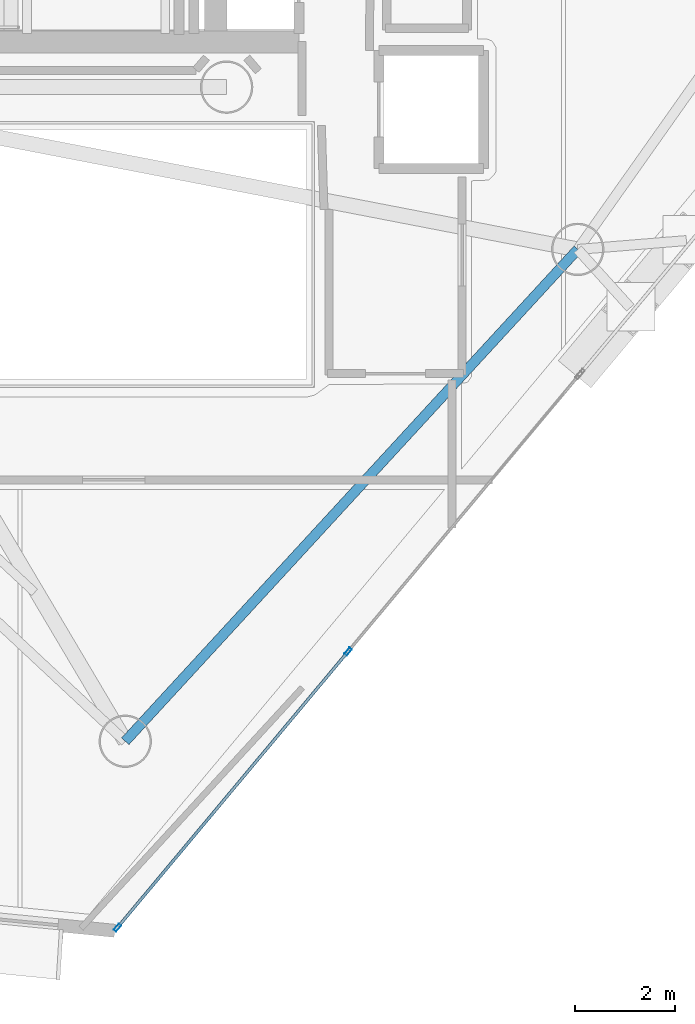
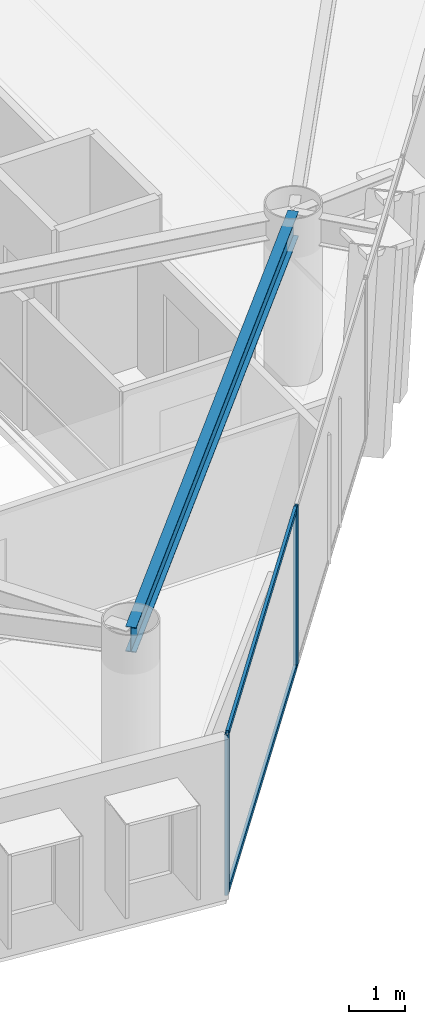
# One storey, part 4 of 20: 4 members, 1 beam, 1 element without a shape of its own.
"""IFC4 building model written with IfcOpenShell, lengths in metres."""

from ifc_helpers import new_model, si_unit, direction, frame, origin, origin_2d, place, context, subcontext, project, spatial, hollow_rectangle, i_section, extrude, material, layer, layer_set, material_profile, profile_set, type_object, element, aggregate, save


model = new_model("IFC4")

# Units and contexts
model_context = context("Model", 3, precision=1e-05, world=origin(), true_north=direction((0.0, 1.0)))
body_context = subcontext(model_context, "Body", "Model", "MODEL_VIEW")
ifc_project = project(units=[si_unit("LENGTHUNIT", "METRE"), si_unit("AREAUNIT", "SQUARE_METRE"), si_unit("VOLUMEUNIT", "CUBIC_METRE"), si_unit("PLANEANGLEUNIT", "RADIAN"), si_unit("MASSUNIT", "GRAM", prefix="KILO")], contexts=[model_context])

# Site, building, storey
site_placement = place(None, origin())
site = spatial("IfcSite", under=ifc_project, at=site_placement, CompositionType="ELEMENT")
building_placement = place(site_placement, origin())
building = spatial("IfcBuilding", under=site, at=building_placement, Name="Qianvela Tower", CompositionType="ELEMENT")
storey_placement = place(building_placement, frame((0.0, 0.0, 257.5)))
storey = spatial("IfcBuildingStorey", under=building, at=storey_placement, Name="L66", CompositionType="ELEMENT", Elevation=257.5)

# Beam
ifc_material_1 = material(Name="Steel Q355B", Category="steel")
ifc_material_profile_1 = material_profile(ifc_material_1, i_section(OverallWidth=0.199951171875, OverallDepth=0.550048828125, WebThickness=0.010009765625, FlangeThickness=0.01611328125, at=origin_2d()), Name="HN550x200x10x16")
ifc_profile_set_1 = profile_set([ifc_material_profile_1], Name="Steel Q355B")
beam_type = type_object("IfcBeamType", Name="BM-HN550-GIRD", PredefinedType="BEAM", material=ifc_profile_set_1)
beam_placement = place(storey_placement, frame((36.368896484375, 10.741943359375, 3.242919921875), z_axis=(0.677042708154, 0.735943728376, 0.0), x_axis=(-0.735943728376, 0.677042708154, 0.0)))
element("IfcBeam", 1, at=beam_placement, inside=storey, type_object=beam_type, Name="L66 Perimeter Ring Spandrel Girder 5", PredefinedType="BEAM", context=body_context, shape_type="SweptSolid", body=[
    extrude(i_section(OverallWidth=0.199951171875, OverallDepth=0.550048828125, WebThickness=0.010009765625, FlangeThickness=0.01611328125, at=origin_2d()), origin(), (0.0, 0.0, 1.0), 13.392333984375),
])

# Curtain wall, members
ifc_material_2 = material(Name="Anodised Architectural Aluminium and Low-E Glass", Category="aluminium")
ifc_layer = layer(ifc_material_2, 0.159912109375)
ifc_layer_set = layer_set([ifc_layer], Name="Anodised Architectural Aluminium and Low-E Glass")
curtain_wall_type = type_object("IfcCurtainWallType", Name="CW-COLIV-Z56", PredefinedType="USERDEFINED", material=ifc_layer_set)
curtain_wall_placement = place(storey_placement, origin())
curtain_wall = element("IfcCurtainWall", 2, at=curtain_wall_placement, inside=storey, type_object=curtain_wall_type, Name="L66 CW-COLIV-Z56 Curtain Wall 06A", ObjectType="CURTAIN_WALL_SYSTEM", PredefinedType="USERDEFINED")
ifc_material_3 = material(Name="Anodised Architectural Aluminium 6063-T6", Category="aluminium")
ifc_material_profile_2 = material_profile(ifc_material_3, hollow_rectangle(XDim=0.06494140625, YDim=0.159912109375, WallThickness=0.0048828125, at=origin_2d()), Name="ALU-MULL-65x160")
ifc_profile_set_2 = profile_set([ifc_material_profile_2], Name="Anodised Architectural Aluminium 6063-T6")
member_type_1 = type_object("IfcMemberType", Name="CW-COLIV-Z56-MULL", PredefinedType="MULLION", material=ifc_profile_set_2)
member_1_placement = place(storey_placement, frame((36.2109375, 7.006591796875, 0.0), z_axis=(0.0, 0.0, 1.0), x_axis=(-0.767312583768, 0.641273263743, 0.0)))
member_1 = element("IfcMember", 3, at=member_1_placement, type_object=member_type_1, Name="CW-5 mullion 1", PredefinedType="MULLION", context=body_context, shape_type="SweptSolid", body=[
    extrude(hollow_rectangle(XDim=0.06494140625, YDim=0.159912109375, WallThickness=0.0048828125, at=origin_2d()), origin(), (0.0, 0.0, 1.0), 3.52001953125),
])
member_2_placement = place(storey_placement, frame((40.836181640625, 12.540771484375, 0.0), z_axis=(0.0, 0.0, 1.0), x_axis=(-0.767312583768, 0.641273263743, 0.0)))
member_2 = element("IfcMember", 4, at=member_2_placement, type_object=member_type_1, Name="CW-5 mullion 2", PredefinedType="MULLION", context=body_context, shape_type="SweptSolid", body=[
    extrude(hollow_rectangle(XDim=0.06494140625, YDim=0.159912109375, WallThickness=0.0048828125, at=origin_2d()), origin(), (0.0, 0.0, 1.0), 3.52001953125),
])
ifc_material_4 = material(Name="Anodised Architectural Aluminium 6063-T6", Category="aluminium")
ifc_material_profile_3 = material_profile(ifc_material_4, hollow_rectangle(XDim=0.06005859375, YDim=0.114990234375, WallThickness=0.00390625, at=origin_2d()), Name="ALU-TRAN-60x115")
ifc_profile_set_3 = profile_set([ifc_material_profile_3], Name="Anodised Architectural Aluminium 6063-T6")
member_type_2 = type_object("IfcMemberType", Name="CW-COLIV-Z56-TRAN", PredefinedType="USERDEFINED", material=ifc_profile_set_3)
member_3_placement = place(storey_placement, frame((36.231689453125, 7.031494140625, 0.030029296875), z_axis=(0.641272316295, 0.767313375586, 0.0), x_axis=(-0.767313375586, 0.641272316295, 0.0)))
member_3 = element("IfcMember", 5, at=member_3_placement, type_object=member_type_2, Name="CW-5 transom 1.1", ObjectType="TRANSOM", PredefinedType="USERDEFINED", context=body_context, shape_type="SweptSolid", body=[
    extrude(hollow_rectangle(XDim=0.06005859375, YDim=0.114990234375, WallThickness=0.00390625, at=origin_2d()), origin(), (0.0, 0.0, 1.0), 7.1474609375),
])
member_4_placement = place(storey_placement, frame((36.231689453125, 7.031494140625, 3.489990234375), z_axis=(0.641272316295, 0.767313375586, 0.0), x_axis=(-0.767313375586, 0.641272316295, 0.0)))
member_4 = element("IfcMember", 6, at=member_4_placement, type_object=member_type_2, Name="CW-5 transom 1.2", ObjectType="TRANSOM", PredefinedType="USERDEFINED", context=body_context, shape_type="SweptSolid", body=[
    extrude(hollow_rectangle(XDim=0.06005859375, YDim=0.114990234375, WallThickness=0.00390625, at=origin_2d()), origin(), (0.0, 0.0, 1.0), 7.1474609375),
])
aggregate(curtain_wall, [member_1, member_2, member_3, member_4])

save(model, "model.ifc")
